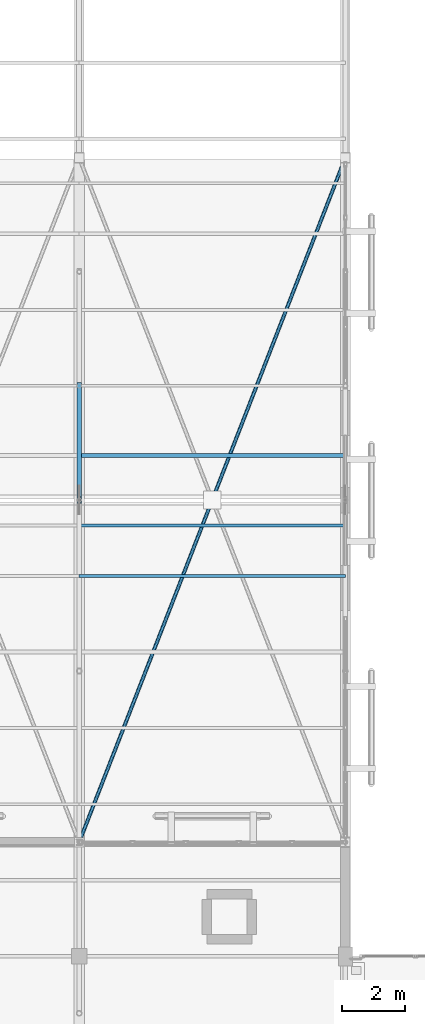
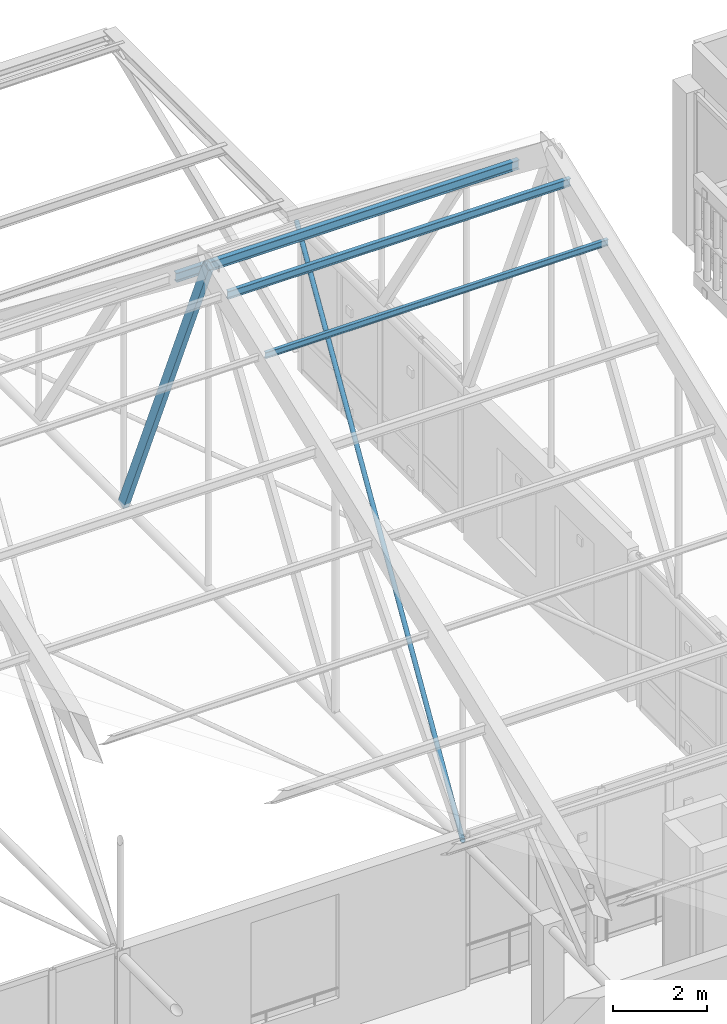
# One storey, part 128 of 217: 5 members.
"""IFC4 building model written with IfcOpenShell, lengths in metres."""

from ifc_helpers import new_model, si_unit, direction, frame, origin, origin_2d, place, context, subcontext, project, spatial, hollow_rectangle, hollow_circle, i_section, extrude, material, material_profile, profile_set, type_object, element, save


model = new_model("IFC4")

# Units and contexts
model_context = context("Model", 3, precision=1e-05, world=origin(), true_north=direction((0.0, 1.0)))
body_context = subcontext(model_context, "Body", "Model", "MODEL_VIEW")
ifc_project = project(units=[si_unit("LENGTHUNIT", "METRE"), si_unit("AREAUNIT", "SQUARE_METRE"), si_unit("VOLUMEUNIT", "CUBIC_METRE"), si_unit("PLANEANGLEUNIT", "RADIAN"), si_unit("MASSUNIT", "GRAM", prefix="KILO")], contexts=[model_context])

# Site, building, storey
site_placement = place(None, origin())
site = spatial("IfcSite", under=ifc_project, at=site_placement, CompositionType="ELEMENT")
building_placement = place(site_placement, origin())
building = spatial("IfcBuilding", under=site, at=building_placement, Name="Mazaris Harbour Polytechnic", CompositionType="ELEMENT")
storey_placement = place(building_placement, frame((0.0, 0.0, 9.60009765625)))
storey = spatial("IfcBuildingStorey", under=building, at=storey_placement, Name="L02", CompositionType="ELEMENT", Elevation=9.60009765625)

# Members
ifc_material_1 = material(Name="Steel S355", Category="steel")
ifc_material_profile_1 = material_profile(ifc_material_1, i_section(OverallWidth=0.08203125, OverallDepth=0.159912109375, WebThickness=0.0048828125, FlangeThickness=0.00732421875, FilletRadius=0.009033203125, at=origin_2d()), Name="IPE 160")
ifc_profile_set_1 = profile_set([ifc_material_profile_1], Name="Steel S355")
member_type_1 = type_object("IfcMemberType", Name="Steel Purlin IPE160", PredefinedType="PURLIN", material=ifc_profile_set_1)
member_1_placement = place(storey_placement, frame((104.39990234375, 94.800048828125, 11.23779296875), z_axis=(1.0, 0.0, 0.0), x_axis=(0.0, 1.0, 0.0)))
element("IfcMember", 1, at=member_1_placement, inside=storey, type_object=member_type_1, Name="V1 Roof Purlin S-138", PredefinedType="PURLIN", context=body_context, shape_type="SweptSolid", body=[
    extrude(i_section(OverallWidth=0.08203125, OverallDepth=0.159912109375, WebThickness=0.0048828125, FlangeThickness=0.00732421875, FilletRadius=0.009033203125, at=origin_2d()), origin(), (0.0, 0.0, 1.0), 8.400146484375),
])
ifc_material_2 = material(Name="Steel S355", Category="steel")
ifc_material_profile_2 = material_profile(ifc_material_2, i_section(OverallWidth=0.10009765625, OverallDepth=0.199951171875, WebThickness=0.005615234375, FlangeThickness=0.008544921875, FilletRadius=0.011962890625, at=origin_2d()), Name="IPE 200")
ifc_profile_set_2 = profile_set([ifc_material_profile_2], Name="Steel S355")
member_type_2 = type_object("IfcMemberType", Name="Steel Purlin IPE200", PredefinedType="PURLIN", material=ifc_profile_set_2)
member_2_placement = place(storey_placement, frame((104.39990234375, 96.39990234375, 11.833740234375), z_axis=(1.0, 0.0, 0.0), x_axis=(0.0, 1.0, 0.0)))
element("IfcMember", 2, at=member_2_placement, inside=storey, type_object=member_type_2, Name="V1 Roof Purlin S-139", PredefinedType="PURLIN", context=body_context, shape_type="SweptSolid", body=[
    extrude(i_section(OverallWidth=0.10009765625, OverallDepth=0.199951171875, WebThickness=0.005615234375, FlangeThickness=0.008544921875, FilletRadius=0.011962890625, at=origin_2d()), origin(), (0.0, 0.0, 1.0), 8.400146484375),
])
ifc_material_3 = material(Name="Steel S355", Category="steel")
ifc_material_profile_3 = material_profile(ifc_material_3, i_section(OverallWidth=0.1201171875, OverallDepth=0.239990234375, WebThickness=0.006103515625, FlangeThickness=0.009765625, FilletRadius=0.014892578125, at=origin_2d()), Name="IPE 240")
ifc_profile_set_3 = profile_set([ifc_material_profile_3], Name="Steel S355")
member_type_3 = type_object("IfcMemberType", Name="Steel Purlin IPE240", PredefinedType="PURLIN", material=ifc_profile_set_3)
member_3_placement = place(storey_placement, frame((104.39990234375, 98.60009765625, 10.9609375), z_axis=(1.0, 0.0, 0.0), x_axis=(0.0, 1.0, 0.0)))
element("IfcMember", 3, at=member_3_placement, inside=storey, type_object=member_type_3, Name="V1 Roof Purlin N-140", PredefinedType="PURLIN", context=body_context, shape_type="SweptSolid", body=[
    extrude(i_section(OverallWidth=0.1201171875, OverallDepth=0.239990234375, WebThickness=0.006103515625, FlangeThickness=0.009765625, FilletRadius=0.014892578125, at=origin_2d()), origin(), (0.0, 0.0, 1.0), 8.400146484375),
])
ifc_material_4 = material(Name="Steel S355", Category="steel")
ifc_material_profile_4 = material_profile(ifc_material_4, hollow_rectangle(XDim=0.139892578125, YDim=0.239990234375, WallThickness=0.010009765625, at=origin_2d()), Name="RHS 140x240x10.0")
ifc_profile_set_4 = profile_set([ifc_material_profile_4], Name="Steel S355")
member_type_4 = type_object("IfcMemberType", Name="Steel Truss Diagonal RHS140x240", PredefinedType="BRACE", material=ifc_profile_set_4)
member_4_placement = place(storey_placement, frame((104.39990234375, 100.800048828125, 3.75), z_axis=(0.0, -0.395924210908, 0.918283191187), x_axis=(1.0, 0.0, 0.0)))
element("IfcMember", 4, at=member_4_placement, inside=storey, type_object=member_type_4, Name="Truss 7 Web Diagonal N1", PredefinedType="BRACE", context=body_context, shape_type="SweptSolid", body=[
    extrude(hollow_rectangle(XDim=0.139892578125, YDim=0.239990234375, WallThickness=0.010009765625, at=origin_2d()), origin(), (0.0, 0.0, 1.0), 9.093017578125),
])
ifc_material_5 = material(Name="Steel S355", Category="steel")
ifc_material_profile_5 = material_profile(ifc_material_5, hollow_circle(Radius=0.05712890625, WallThickness=0.00634765625, at=origin_2d()), Name="CHS 114.3x6.3")
ifc_profile_set_5 = profile_set([ifc_material_profile_5], Name="Steel S355")
member_type_5 = type_object("IfcMemberType", Name="Steel Wind Brace CHS114", PredefinedType="BRACE", material=ifc_profile_set_5)
member_5_placement = place(storey_placement, frame((104.39990234375, 86.39990234375, 3.75), z_axis=(0.362450327975, 0.93200308999, 0.0), x_axis=(-0.93200308999, 0.362450327975, 0.0)))
element("IfcMember", 5, at=member_5_placement, inside=storey, type_object=member_type_5, Name="V1 Continuous Roof Wind Brace 7A", PredefinedType="BRACE", context=body_context, shape_type="SweptSolid", body=[
    extrude(hollow_circle(Radius=0.05712890625, WallThickness=0.00634765625, at=origin_2d()), origin(), (0.0, 0.0, 1.0), 23.176025390625),
])

save(model, "model.ifc")
